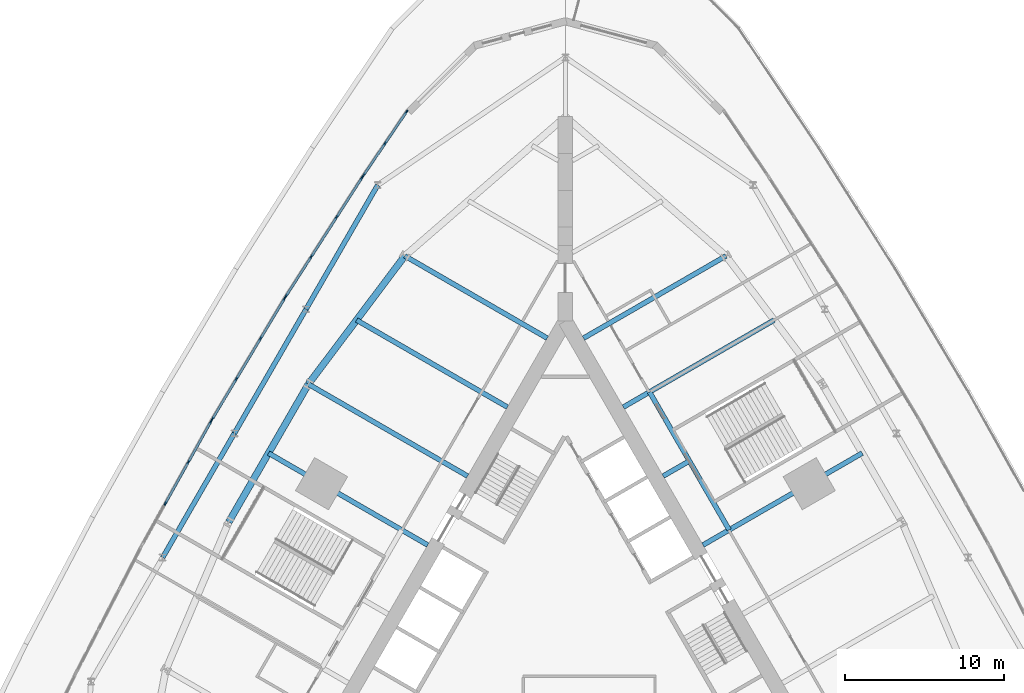
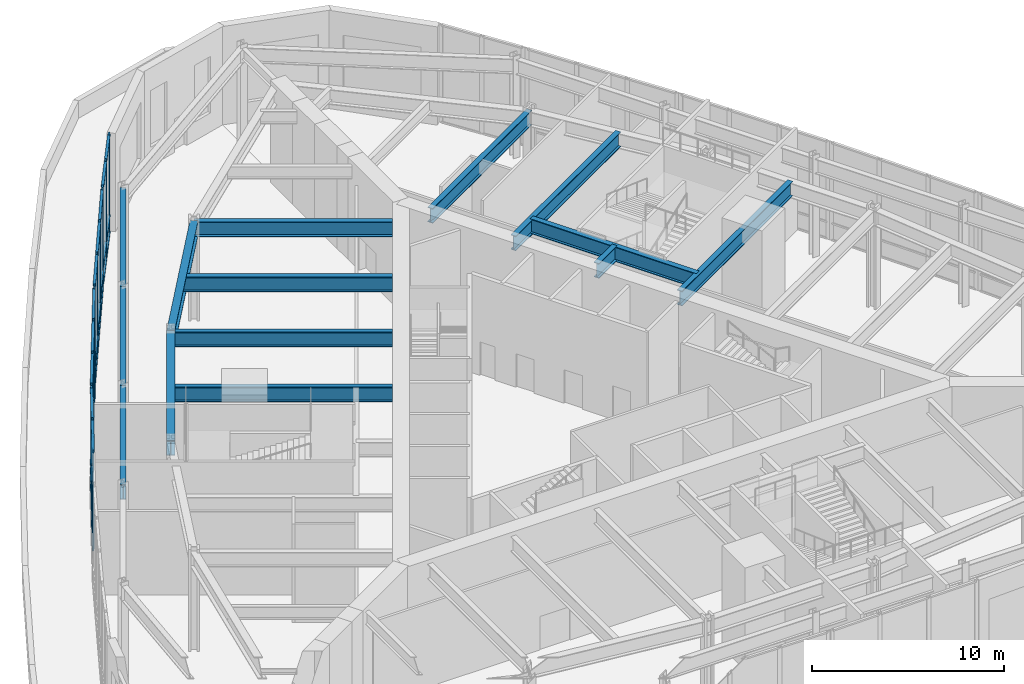
# One storey, part 6 of 19: 44 members, 14 beams, 4 elements without a shape of their own.
"""IFC4 building model written with IfcOpenShell, lengths in metres."""

from ifc_helpers import new_model, si_unit, direction, frame, origin, origin_2d, place, context, subcontext, project, spatial, rectangle, i_section, extrude, material, material_profile, profile_set, type_object, element, aggregate, save


model = new_model("IFC4")

# Units and contexts
model_context = context("Model", 3, precision=1e-05, world=origin(), true_north=direction((0.0, 1.0)))
body_context = subcontext(model_context, "Body", "Model", "MODEL_VIEW")
ifc_project = project(units=[si_unit("LENGTHUNIT", "METRE"), si_unit("AREAUNIT", "SQUARE_METRE"), si_unit("VOLUMEUNIT", "CUBIC_METRE"), si_unit("PLANEANGLEUNIT", "RADIAN"), si_unit("MASSUNIT", "GRAM", prefix="KILO")], contexts=[model_context])

# Site, building, storey
site_placement = place(None, origin())
site = spatial("IfcSite", under=ifc_project, at=site_placement, CompositionType="ELEMENT")
building_placement = place(site_placement, origin())
building = spatial("IfcBuilding", under=site, at=building_placement, Name="Trikona Tower", CompositionType="ELEMENT")
storey_placement = place(building_placement, frame((0.0, 0.0, 11.0)))
storey = spatial("IfcBuildingStorey", under=building, at=storey_placement, Name="L02", CompositionType="ELEMENT", Elevation=11.0)

# Curtain wall, members
ifc_material_1 = material(Name="Aluminium curtain wall system", Category="aluminium")
curtain_wall_type = type_object("IfcCurtainWallType", Name="Curtain wall PD", PredefinedType="NOTDEFINED", material=ifc_material_1)
curtain_wall_1_placement = place(storey_placement, origin())
curtain_wall_1 = element("IfcCurtainWall", 1, at=curtain_wall_1_placement, inside=storey, type_object=curtain_wall_type, Name="Curtain wall PD L02", PredefinedType="NOTDEFINED")
ifc_material_2 = material(Name="Aluminium mullion, pale anodised", Category="aluminium")
ifc_material_profile_1 = material_profile(ifc_material_2, rectangle(XDim=0.090087890625, YDim=0.25, at=origin_2d()), Name="MUL-PD")
ifc_profile_set_1 = profile_set([ifc_material_profile_1], Name="Aluminium mullion, pale anodised")
member_type_1 = type_object("IfcMemberType", Name="Mullion PD 90x250", PredefinedType="MULLION", material=ifc_profile_set_1)
member_1_placement = place(storey_placement, frame((-9.97607421875, 32.188720703125, 0.0), z_axis=(0.0, 0.0, 1.0), x_axis=(0.828264162992, -0.560337823373, 0.0)))
member_1 = element("IfcMember", 2, at=member_1_placement, type_object=member_type_1, Name="CW-PD mullion 1", PredefinedType="MULLION", context=body_context, shape_type="SweptSolid", body=[
    extrude(rectangle(XDim=0.090087890625, YDim=0.25, at=origin_2d()), origin(), (0.0, 0.0, 1.0), 6.25),
])
member_2_placement = place(storey_placement, frame((-11.321533203125, 30.19970703125, 0.0), z_axis=(0.0, 0.0, 1.0), x_axis=(0.828264162992, -0.560337823373, 0.0)))
member_2 = element("IfcMember", 3, at=member_2_placement, type_object=member_type_1, Name="CW-PD mullion 2", PredefinedType="MULLION", context=body_context, shape_type="SweptSolid", body=[
    extrude(rectangle(XDim=0.090087890625, YDim=0.25, at=origin_2d()), origin(), (0.0, 0.0, 1.0), 6.25),
])
member_3_placement = place(storey_placement, frame((-12.667236328125, 28.210693359375, 0.0), z_axis=(0.0, 0.0, 1.0), x_axis=(0.828264162992, -0.560337823373, 0.0)))
member_3 = element("IfcMember", 4, at=member_3_placement, type_object=member_type_1, Name="CW-PD mullion 3", PredefinedType="MULLION", context=body_context, shape_type="SweptSolid", body=[
    extrude(rectangle(XDim=0.090087890625, YDim=0.25, at=origin_2d()), origin(), (0.0, 0.0, 1.0), 6.25),
])

curtain_wall_2_placement = place(storey_placement, origin())
curtain_wall_2 = element("IfcCurtainWall", 5, at=curtain_wall_2_placement, inside=storey, type_object=curtain_wall_type, Name="Curtain wall PD L02", PredefinedType="NOTDEFINED")
member_4_placement = place(storey_placement, frame((-12.78125, 28.037353515625, 0.0), z_axis=(0.0, 0.0, 1.0), x_axis=(0.84162298491, -0.540065506463, 0.0)))
member_4 = element("IfcMember", 6, at=member_4_placement, type_object=member_type_1, Name="CW-PD mullion 1", PredefinedType="MULLION", context=body_context, shape_type="SweptSolid", body=[
    extrude(rectangle(XDim=0.090087890625, YDim=0.25, at=origin_2d()), origin(), (0.0, 0.0, 1.0), 6.25),
])
member_5_placement = place(storey_placement, frame((-14.357421875, 25.581298828125, 0.0), z_axis=(0.0, 0.0, 1.0), x_axis=(0.84162298491, -0.540065506463, 0.0)))
member_5 = element("IfcMember", 7, at=member_5_placement, type_object=member_type_1, Name="CW-PD mullion 2", PredefinedType="MULLION", context=body_context, shape_type="SweptSolid", body=[
    extrude(rectangle(XDim=0.090087890625, YDim=0.25, at=origin_2d()), origin(), (0.0, 0.0, 1.0), 6.25),
])
member_6_placement = place(storey_placement, frame((-15.957763671875, 23.087158203125, 0.0), z_axis=(0.0, 0.0, 1.0), x_axis=(0.84162298491, -0.540065506463, 0.0)))
member_6 = element("IfcMember", 8, at=member_6_placement, type_object=member_type_1, Name="CW-PD mullion 3", PredefinedType="MULLION", context=body_context, shape_type="SweptSolid", body=[
    extrude(rectangle(XDim=0.090087890625, YDim=0.25, at=origin_2d()), origin(), (0.0, 0.0, 1.0), 6.25),
])
member_7_placement = place(storey_placement, frame((-17.53369140625, 20.631103515625, 0.0), z_axis=(0.0, 0.0, 1.0), x_axis=(0.84162298491, -0.540065506463, 0.0)))
member_7 = element("IfcMember", 9, at=member_7_placement, type_object=member_type_1, Name="CW-PD mullion 4", PredefinedType="MULLION", context=body_context, shape_type="SweptSolid", body=[
    extrude(rectangle(XDim=0.090087890625, YDim=0.25, at=origin_2d()), origin(), (0.0, 0.0, 1.0), 6.25),
])

curtain_wall_3_placement = place(storey_placement, origin())
curtain_wall_3 = element("IfcCurtainWall", 10, at=curtain_wall_3_placement, inside=storey, type_object=curtain_wall_type, Name="Curtain wall PD L02", PredefinedType="NOTDEFINED")
member_8_placement = place(storey_placement, frame((-17.642822265625, 20.455322265625, 0.0), z_axis=(0.0, 0.0, 1.0), x_axis=(0.858095396396, -0.513490302425, 0.0)))
member_8 = element("IfcMember", 11, at=member_8_placement, type_object=member_type_1, Name="CW-PD mullion 1", PredefinedType="MULLION", context=body_context, shape_type="SweptSolid", body=[
    extrude(rectangle(XDim=0.090087890625, YDim=0.25, at=origin_2d()), origin(), (0.0, 0.0, 1.0), 6.25),
])
member_9_placement = place(storey_placement, frame((-19.139892578125, 17.95361328125, 0.0), z_axis=(0.0, 0.0, 1.0), x_axis=(0.858095396396, -0.513490302425, 0.0)))
member_9 = element("IfcMember", 12, at=member_9_placement, type_object=member_type_1, Name="CW-PD mullion 2", PredefinedType="MULLION", context=body_context, shape_type="SweptSolid", body=[
    extrude(rectangle(XDim=0.090087890625, YDim=0.25, at=origin_2d()), origin(), (0.0, 0.0, 1.0), 6.25),
])
member_10_placement = place(storey_placement, frame((-20.659912109375, 15.413330078125, 0.0), z_axis=(0.0, 0.0, 1.0), x_axis=(0.858095396396, -0.513490302425, 0.0)))
member_10 = element("IfcMember", 13, at=member_10_placement, type_object=member_type_1, Name="CW-PD mullion 3", PredefinedType="MULLION", context=body_context, shape_type="SweptSolid", body=[
    extrude(rectangle(XDim=0.090087890625, YDim=0.25, at=origin_2d()), origin(), (0.0, 0.0, 1.0), 6.25),
])
member_11_placement = place(storey_placement, frame((-22.156982421875, 12.91162109375, 0.0), z_axis=(0.0, 0.0, 1.0), x_axis=(0.858095396396, -0.513490302425, 0.0)))
member_11 = element("IfcMember", 14, at=member_11_placement, type_object=member_type_1, Name="CW-PD mullion 4", PredefinedType="MULLION", context=body_context, shape_type="SweptSolid", body=[
    extrude(rectangle(XDim=0.090087890625, YDim=0.25, at=origin_2d()), origin(), (0.0, 0.0, 1.0), 6.25),
])

curtain_wall_4_placement = place(storey_placement, origin())
curtain_wall_4 = element("IfcCurtainWall", 15, at=curtain_wall_4_placement, inside=storey, type_object=curtain_wall_type, Name="Curtain wall PD L02", PredefinedType="NOTDEFINED")
member_12_placement = place(storey_placement, frame((-22.260498046875, 12.732666015625, 0.0), z_axis=(0.0, 0.0, 1.0), x_axis=(0.873743206518, -0.486387509156, 0.0)))
member_12 = element("IfcMember", 16, at=member_12_placement, type_object=member_type_1, Name="CW-PD mullion 1", PredefinedType="MULLION", context=body_context, shape_type="SweptSolid", body=[
    extrude(rectangle(XDim=0.090087890625, YDim=0.25, at=origin_2d()), origin(), (0.0, 0.0, 1.0), 6.25),
])
member_13_placement = place(storey_placement, frame((-23.678466796875, 10.185302734375, 0.0), z_axis=(0.0, 0.0, 1.0), x_axis=(0.873743206518, -0.486387509156, 0.0)))
member_13 = element("IfcMember", 17, at=member_13_placement, type_object=member_type_1, Name="CW-PD mullion 2", PredefinedType="MULLION", context=body_context, shape_type="SweptSolid", body=[
    extrude(rectangle(XDim=0.090087890625, YDim=0.25, at=origin_2d()), origin(), (0.0, 0.0, 1.0), 6.25),
])
member_14_placement = place(storey_placement, frame((-25.1181640625, 7.598876953125, 0.0), z_axis=(0.0, 0.0, 1.0), x_axis=(0.873743206518, -0.486387509156, 0.0)))
member_14 = element("IfcMember", 18, at=member_14_placement, type_object=member_type_1, Name="CW-PD mullion 3", PredefinedType="MULLION", context=body_context, shape_type="SweptSolid", body=[
    extrude(rectangle(XDim=0.090087890625, YDim=0.25, at=origin_2d()), origin(), (0.0, 0.0, 1.0), 6.25),
])

# Beams
ifc_material_3 = material(Name="Steel ASTM A992 Grade 50", Category="steel")
ifc_material_profile_2 = material_profile(ifc_material_3, i_section(OverallWidth=0.307373046875, OverallDepth=0.9423828125, WebThickness=0.022216796875, FlangeThickness=0.039794921875, at=origin_2d()), Name="W36X232")
ifc_profile_set_2 = profile_set([ifc_material_profile_2], Name="Steel ASTM A992 Grade 50")
beam_type_1 = type_object("IfcBeamType", Name="Steel beam W36x232 (ballroom)", PredefinedType="BEAM", material=ifc_profile_set_2)
for number, where, z_axis, x_axis, name in (
    (19, (-11.78466796875, 27.58837890625, 5.77880859375), (-0.5000018851, -0.866024315419, 0.0), (0.866024315419, -0.5000018851, 0.0), "Podium beam L03 GR24F2m18-R24F2m9"),
    (20, (-16.28466796875, 19.794189453125, 5.77880859375), (-0.5000018851, -0.866024315419, 0.0), (0.866024315419, -0.5000018851, 0.0), "Podium beam L03 GR24F2m9-R24F2p0"),
    (21, (-20.78466796875, 12.0, 5.77880859375), (-0.5000018851, -0.866024315419, 0.0), (0.866024315419, -0.5000018851, 0.0), "Podium beam L03 GR24F2p0-R24F2p9"),
):
    element("IfcBeam", number, at=place(storey_placement, frame(where, z_axis=z_axis, x_axis=x_axis)), inside=storey, type_object=beam_type_1, Name=name, PredefinedType="BEAM", context=body_context, shape_type="SweptSolid", body=[
        extrude(i_section(OverallWidth=0.307373046875, OverallDepth=0.9423828125, WebThickness=0.022216796875, FlangeThickness=0.039794921875, at=origin_2d()), origin(), (0.0, 0.0, 1.0), 9.0),
    ])
ifc_material_4 = material(Name="Steel ASTM A992 Grade 50", Category="steel")
ifc_material_profile_3 = material_profile(ifc_material_4, i_section(OverallWidth=0.307373046875, OverallDepth=0.9423828125, WebThickness=0.022216796875, FlangeThickness=0.039794921875, at=origin_2d()), Name="W36X232")
ifc_profile_set_3 = profile_set([ifc_material_profile_3], Name="Steel ASTM A992 Grade 50")
beam_type_2 = type_object("IfcBeamType", Name="Steel beam W36x232 (radial low)", PredefinedType="BEAM", material=ifc_profile_set_3)
beam_1_placement = place(storey_placement, frame((8.6396484375, 4.988037109375, 5.77880859375), z_axis=(0.866020765707, 0.500008033299, 0.0), x_axis=(-0.500008033299, 0.866020765707, 0.0)))
element("IfcBeam", 22, at=beam_1_placement, inside=storey, type_object=beam_type_2, Name="Floor beam L03 F2 u0", PredefinedType="BEAM", context=body_context, shape_type="SweptSolid", body=[
    extrude(i_section(OverallWidth=0.307373046875, OverallDepth=0.9423828125, WebThickness=0.022216796875, FlangeThickness=0.039794921875, at=origin_2d()), origin(), (0.0, 0.0, 1.0), 11.544189453125),
])
beam_2_placement = place(storey_placement, frame((6.1396484375, 9.318359375, 5.77880859375), z_axis=(0.866044365799, 0.499967155389, 0.0), x_axis=(-0.499967155389, 0.866044365799, 0.0)))
element("IfcBeam", 23, at=beam_2_placement, inside=storey, type_object=beam_type_2, Name="Floor beam L03 F2 u5", PredefinedType="BEAM", context=body_context, shape_type="SweptSolid", body=[
    extrude(i_section(OverallWidth=0.307373046875, OverallDepth=0.9423828125, WebThickness=0.022216796875, FlangeThickness=0.039794921875, at=origin_2d()), origin(), (0.0, 0.0, 1.0), 1.900146484375),
])
beam_3_placement = place(storey_placement, frame((3.6396484375, 13.6484375, 5.77880859375), z_axis=(0.866025348605, 0.500000095573, 0.0), x_axis=(-0.500000095573, 0.866025348605, 0.0)))
element("IfcBeam", 24, at=beam_3_placement, inside=storey, type_object=beam_type_2, Name="Floor beam L03 F2 u10", PredefinedType="BEAM", context=body_context, shape_type="SweptSolid", body=[
    extrude(i_section(OverallWidth=0.307373046875, OverallDepth=0.9423828125, WebThickness=0.022216796875, FlangeThickness=0.039794921875, at=origin_2d()), origin(), (0.0, 0.0, 1.0), 10.935546875),
])
beam_4_placement = place(storey_placement, frame((1.1396484375, 17.978515625, 5.77880859375), z_axis=(0.866030471684, 0.499991222037, 0.0), x_axis=(-0.499991222037, 0.866030471684, 0.0)))
element("IfcBeam", 25, at=beam_4_placement, inside=storey, type_object=beam_type_2, Name="Floor beam L03 F2 u15", PredefinedType="BEAM", context=body_context, shape_type="SweptSolid", body=[
    extrude(i_section(OverallWidth=0.307373046875, OverallDepth=0.9423828125, WebThickness=0.022216796875, FlangeThickness=0.039794921875, at=origin_2d()), origin(), (0.0, 0.0, 1.0), 10.326904296875),
])
beam_5_placement = place(storey_placement, frame((10.28515625, 5.93798828125, 5.77880859375), z_axis=(-0.499993662806, 0.866029062534, 0.0), x_axis=(-0.866029062534, -0.499993662806, 0.0)))
element("IfcBeam", 26, at=beam_5_placement, inside=storey, type_object=beam_type_2, Name="Trimmer beam L03 F2 podium stair", PredefinedType="BEAM", context=body_context, shape_type="SweptSolid", body=[
    extrude(i_section(OverallWidth=0.307373046875, OverallDepth=0.9423828125, WebThickness=0.022216796875, FlangeThickness=0.039794921875, at=origin_2d()), origin(), (0.0, 0.0, 1.0), 10.000244140625),
])
beam_6_placement = place(storey_placement, frame((-1.1396484375, 17.978515625, 5.77880859375), z_axis=(-0.866030471684, 0.499991222037, 0.0), x_axis=(-0.499991222037, -0.866030471684, 0.0)))
element("IfcBeam", 27, at=beam_6_placement, inside=storey, type_object=beam_type_2, Name="Floor beam L03 F3 u-15", PredefinedType="BEAM", context=body_context, shape_type="SweptSolid", body=[
    extrude(i_section(OverallWidth=0.307373046875, OverallDepth=0.9423828125, WebThickness=0.022216796875, FlangeThickness=0.039794921875, at=origin_2d()), origin(), (0.0, 0.0, 1.0), 10.326904296875),
])
beam_7_placement = place(storey_placement, frame((-3.6396484375, 13.6484375, 5.77880859375), z_axis=(-0.866025348605, 0.500000095573, 0.0), x_axis=(-0.500000095573, -0.866025348605, 0.0)))
element("IfcBeam", 28, at=beam_7_placement, inside=storey, type_object=beam_type_2, Name="Floor beam L03 F3 u-10", PredefinedType="BEAM", context=body_context, shape_type="SweptSolid", body=[
    extrude(i_section(OverallWidth=0.307373046875, OverallDepth=0.9423828125, WebThickness=0.022216796875, FlangeThickness=0.039794921875, at=origin_2d()), origin(), (0.0, 0.0, 1.0), 10.935546875),
])
for number, where, z_axis, x_axis, name in (
    (29, (-6.1396484375, 9.318359375, 5.77880859375), (-0.866029923217, 0.499992172032, 0.0), (-0.499992172032, -0.866029923217, 0.0), "Floor beam L03 F3 u-5"),
    (30, (-8.6396484375, 4.988037109375, 5.77880859375), (-0.866020765707, 0.500008033299, 0.0), (-0.500008033299, -0.866020765707, 0.0), "Floor beam L03 F3 u0"),
):
    element("IfcBeam", number, at=place(storey_placement, frame(where, z_axis=z_axis, x_axis=x_axis)), inside=storey, type_object=beam_type_2, Name=name, PredefinedType="BEAM", context=body_context, shape_type="SweptSolid", body=[
        extrude(i_section(OverallWidth=0.307373046875, OverallDepth=0.9423828125, WebThickness=0.022216796875, FlangeThickness=0.039794921875, at=origin_2d()), origin(), (0.0, 0.0, 1.0), 11.544189453125),
    ])
ifc_material_5 = material(Name="Steel ASTM A992 Grade 50", Category="steel")
ifc_material_profile_4 = material_profile(ifc_material_5, i_section(OverallWidth=0.424072265625, OverallDepth=0.947509765625, WebThickness=0.02392578125, FlangeThickness=0.042724609375, at=origin_2d()), Name="W36X302")
ifc_profile_set_4 = profile_set([ifc_material_profile_4], Name="Steel ASTM A992 Grade 50")
beam_type_3 = type_object("IfcBeamType", Name="Steel beam W36x302 (pod tower spandrel)", PredefinedType="BEAM", material=ifc_profile_set_4)
beam_8_placement = place(storey_placement, frame((-10.0830078125, 23.141845703125, 5.7763671875), z_axis=(-0.600988344191, -0.799257787042, 0.0), x_axis=(0.799257787042, -0.600988344191, 0.0)))
element("IfcBeam", 31, at=beam_8_placement, inside=storey, type_object=beam_type_3, Name="Spandrel beam L03 F3-2", PredefinedType="BEAM", context=body_context, shape_type="SweptSolid", body=[
    extrude(i_section(OverallWidth=0.424072265625, OverallDepth=0.947509765625, WebThickness=0.02392578125, FlangeThickness=0.042724609375, at=origin_2d()), origin(), (0.0, 0.0, 1.0), 10.07373046875),
])
beam_9_placement = place(storey_placement, frame((-16.13720703125, 15.09033203125, 5.7763671875), z_axis=(-0.500004234368, -0.866022959057, 0.0), x_axis=(0.866022959057, -0.500004234368, 0.0)))
element("IfcBeam", 32, at=beam_9_placement, inside=storey, type_object=beam_type_3, Name="Spandrel beam L03 F3-3", PredefinedType="BEAM", context=body_context, shape_type="SweptSolid", body=[
    extrude(i_section(OverallWidth=0.424072265625, OverallDepth=0.947509765625, WebThickness=0.02392578125, FlangeThickness=0.042724609375, at=origin_2d()), origin(), (0.0, 0.0, 1.0), 10.0),
])

# Member
ifc_material_6 = material(Name="Aluminium transom, pale anodised", Category="aluminium")
ifc_material_profile_5 = material_profile(ifc_material_6, rectangle(XDim=0.14990234375, YDim=0.090087890625, at=origin_2d()), Name="TRN-PD")
ifc_profile_set_5 = profile_set([ifc_material_profile_5], Name="Aluminium transom, pale anodised")
member_type_2 = type_object("IfcMemberType", Name="Transom PD 90x150", PredefinedType="USERDEFINED", material=ifc_profile_set_5)
member_15_placement = place(storey_placement, frame((-10.001220703125, 32.1513671875, 0.044921875), z_axis=(-0.560317892551, -0.828277646256, 0.0), x_axis=(0.828277646256, -0.560317892551, 0.0)))
member_15 = element("IfcMember", 33, at=member_15_placement, type_object=member_type_2, Name="CW-PD transom 1.1", ObjectType="TRANSOM", PredefinedType="USERDEFINED", context=body_context, shape_type="SweptSolid", body=[
    extrude(rectangle(XDim=0.14990234375, YDim=0.090087890625, at=origin_2d()), origin(), (0.0, 0.0, 1.0), 2.3115234375),
])

member_16_placement = place(storey_placement, frame((-10.001220703125, 32.1513671875, 1.10009765625), z_axis=(-0.560317892551, -0.828277646256, 0.0), x_axis=(0.828277646256, -0.560317892551, 0.0)))
member_16 = element("IfcMember", 34, at=member_16_placement, type_object=member_type_2, Name="CW-PD transom 1.2", ObjectType="TRANSOM", PredefinedType="USERDEFINED", context=body_context, shape_type="SweptSolid", body=[
    extrude(rectangle(XDim=0.14990234375, YDim=0.090087890625, at=origin_2d()), origin(), (0.0, 0.0, 1.0), 2.3115234375),
])

member_17_placement = place(storey_placement, frame((-10.001220703125, 32.1513671875, 6.205078125), z_axis=(-0.560317892551, -0.828277646256, 0.0), x_axis=(0.828277646256, -0.560317892551, 0.0)))
member_17 = element("IfcMember", 35, at=member_17_placement, type_object=member_type_2, Name="CW-PD transom 1.3", ObjectType="TRANSOM", PredefinedType="USERDEFINED", context=body_context, shape_type="SweptSolid", body=[
    extrude(rectangle(XDim=0.14990234375, YDim=0.090087890625, at=origin_2d()), origin(), (0.0, 0.0, 1.0), 2.3115234375),
])

member_18_placement = place(storey_placement, frame((-11.346923828125, 30.162353515625, 0.044921875), z_axis=(-0.560366914304, -0.828244481632, 0.0), x_axis=(0.828244481632, -0.560366914304, 0.0)))
member_18 = element("IfcMember", 36, at=member_18_placement, type_object=member_type_2, Name="CW-PD transom 2.1", ObjectType="TRANSOM", PredefinedType="USERDEFINED", context=body_context, shape_type="SweptSolid", body=[
    extrude(rectangle(XDim=0.14990234375, YDim=0.090087890625, at=origin_2d()), origin(), (0.0, 0.0, 1.0), 2.311279296875),
])

member_19_placement = place(storey_placement, frame((-11.346923828125, 30.162353515625, 1.10009765625), z_axis=(-0.560366914304, -0.828244481632, 0.0), x_axis=(0.828244481632, -0.560366914304, 0.0)))
member_19 = element("IfcMember", 37, at=member_19_placement, type_object=member_type_2, Name="CW-PD transom 2.2", ObjectType="TRANSOM", PredefinedType="USERDEFINED", context=body_context, shape_type="SweptSolid", body=[
    extrude(rectangle(XDim=0.14990234375, YDim=0.090087890625, at=origin_2d()), origin(), (0.0, 0.0, 1.0), 2.311279296875),
])

member_20_placement = place(storey_placement, frame((-11.346923828125, 30.162353515625, 6.205078125), z_axis=(-0.560366914304, -0.828244481632, 0.0), x_axis=(0.828244481632, -0.560366914304, 0.0)))
member_20 = element("IfcMember", 38, at=member_20_placement, type_object=member_type_2, Name="CW-PD transom 2.3", ObjectType="TRANSOM", PredefinedType="USERDEFINED", context=body_context, shape_type="SweptSolid", body=[
    extrude(rectangle(XDim=0.14990234375, YDim=0.090087890625, at=origin_2d()), origin(), (0.0, 0.0, 1.0), 2.311279296875),
])

aggregate(curtain_wall_1, [member_1, member_2, member_3, member_15, member_16, member_17, member_18, member_19, member_20])

member_21_placement = place(storey_placement, frame((-12.8056640625, 27.99951171875, 0.044921875), z_axis=(-0.540033155004, -0.841643743811, 0.0), x_axis=(0.841643743811, -0.540033155004, 0.0)))
member_21 = element("IfcMember", 39, at=member_21_placement, type_object=member_type_2, Name="CW-PD transom 1.1", ObjectType="TRANSOM", PredefinedType="USERDEFINED", context=body_context, shape_type="SweptSolid", body=[
    extrude(rectangle(XDim=0.14990234375, YDim=0.090087890625, at=origin_2d()), origin(), (0.0, 0.0, 1.0), 2.828125),
])

member_22_placement = place(storey_placement, frame((-12.8056640625, 27.99951171875, 1.10009765625), z_axis=(-0.540033155004, -0.841643743811, 0.0), x_axis=(0.841643743811, -0.540033155004, 0.0)))
member_22 = element("IfcMember", 40, at=member_22_placement, type_object=member_type_2, Name="CW-PD transom 1.2", ObjectType="TRANSOM", PredefinedType="USERDEFINED", context=body_context, shape_type="SweptSolid", body=[
    extrude(rectangle(XDim=0.14990234375, YDim=0.090087890625, at=origin_2d()), origin(), (0.0, 0.0, 1.0), 2.828125),
])

member_23_placement = place(storey_placement, frame((-12.8056640625, 27.99951171875, 6.205078125), z_axis=(-0.540033155004, -0.841643743811, 0.0), x_axis=(0.841643743811, -0.540033155004, 0.0)))
member_23 = element("IfcMember", 41, at=member_23_placement, type_object=member_type_2, Name="CW-PD transom 1.3", ObjectType="TRANSOM", PredefinedType="USERDEFINED", context=body_context, shape_type="SweptSolid", body=[
    extrude(rectangle(XDim=0.14990234375, YDim=0.090087890625, at=origin_2d()), origin(), (0.0, 0.0, 1.0), 2.828125),
])

member_24_placement = place(storey_placement, frame((-14.381591796875, 25.54345703125, 0.044921875), z_axis=(-0.540065996363, -0.841622670543, 0.0), x_axis=(0.841622670543, -0.540065996363, 0.0)))
member_24 = element("IfcMember", 42, at=member_24_placement, type_object=member_type_2, Name="CW-PD transom 2.1", ObjectType="TRANSOM", PredefinedType="USERDEFINED", context=body_context, shape_type="SweptSolid", body=[
    extrude(rectangle(XDim=0.14990234375, YDim=0.090087890625, at=origin_2d()), origin(), (0.0, 0.0, 1.0), 2.873291015625),
])

member_25_placement = place(storey_placement, frame((-14.381591796875, 25.54345703125, 1.10009765625), z_axis=(-0.540065996363, -0.841622670543, 0.0), x_axis=(0.841622670543, -0.540065996363, 0.0)))
member_25 = element("IfcMember", 43, at=member_25_placement, type_object=member_type_2, Name="CW-PD transom 2.2", ObjectType="TRANSOM", PredefinedType="USERDEFINED", context=body_context, shape_type="SweptSolid", body=[
    extrude(rectangle(XDim=0.14990234375, YDim=0.090087890625, at=origin_2d()), origin(), (0.0, 0.0, 1.0), 2.873291015625),
])

member_26_placement = place(storey_placement, frame((-14.381591796875, 25.54345703125, 6.205078125), z_axis=(-0.540065996363, -0.841622670543, 0.0), x_axis=(0.841622670543, -0.540065996363, 0.0)))
member_26 = element("IfcMember", 44, at=member_26_placement, type_object=member_type_2, Name="CW-PD transom 2.3", ObjectType="TRANSOM", PredefinedType="USERDEFINED", context=body_context, shape_type="SweptSolid", body=[
    extrude(rectangle(XDim=0.14990234375, YDim=0.090087890625, at=origin_2d()), origin(), (0.0, 0.0, 1.0), 2.873291015625),
])

member_27_placement = place(storey_placement, frame((-15.98193359375, 23.04931640625, 0.044921875), z_axis=(-0.54009429845, -0.841604508532, 0.0), x_axis=(0.841604508532, -0.54009429845, 0.0)))
member_27 = element("IfcMember", 45, at=member_27_placement, type_object=member_type_2, Name="CW-PD transom 3.1", ObjectType="TRANSOM", PredefinedType="USERDEFINED", context=body_context, shape_type="SweptSolid", body=[
    extrude(rectangle(XDim=0.14990234375, YDim=0.090087890625, at=origin_2d()), origin(), (0.0, 0.0, 1.0), 2.828369140625),
])

member_28_placement = place(storey_placement, frame((-15.98193359375, 23.04931640625, 1.10009765625), z_axis=(-0.54009429845, -0.841604508532, 0.0), x_axis=(0.841604508532, -0.54009429845, 0.0)))
member_28 = element("IfcMember", 46, at=member_28_placement, type_object=member_type_2, Name="CW-PD transom 3.2", ObjectType="TRANSOM", PredefinedType="USERDEFINED", context=body_context, shape_type="SweptSolid", body=[
    extrude(rectangle(XDim=0.14990234375, YDim=0.090087890625, at=origin_2d()), origin(), (0.0, 0.0, 1.0), 2.828369140625),
])

member_29_placement = place(storey_placement, frame((-15.98193359375, 23.04931640625, 6.205078125), z_axis=(-0.54009429845, -0.841604508532, 0.0), x_axis=(0.841604508532, -0.54009429845, 0.0)))
member_29 = element("IfcMember", 47, at=member_29_placement, type_object=member_type_2, Name="CW-PD transom 3.3", ObjectType="TRANSOM", PredefinedType="USERDEFINED", context=body_context, shape_type="SweptSolid", body=[
    extrude(rectangle(XDim=0.14990234375, YDim=0.090087890625, at=origin_2d()), origin(), (0.0, 0.0, 1.0), 2.828369140625),
])

aggregate(curtain_wall_2, [member_4, member_5, member_6, member_7, member_21, member_22, member_23, member_24, member_25, member_26, member_27, member_28, member_29])

member_30_placement = place(storey_placement, frame((-17.666015625, 20.416748046875, 0.044921875), z_axis=(-0.513478745151, -0.858102312244, 0.0), x_axis=(0.858102312244, -0.513478745151, 0.0)))
member_30 = element("IfcMember", 48, at=member_30_placement, type_object=member_type_2, Name="CW-PD transom 1.1", ObjectType="TRANSOM", PredefinedType="USERDEFINED", context=body_context, shape_type="SweptSolid", body=[
    extrude(rectangle(XDim=0.14990234375, YDim=0.090087890625, at=origin_2d()), origin(), (0.0, 0.0, 1.0), 2.8251953125),
])

member_31_placement = place(storey_placement, frame((-17.666015625, 20.416748046875, 1.10009765625), z_axis=(-0.513478745151, -0.858102312244, 0.0), x_axis=(0.858102312244, -0.513478745151, 0.0)))
member_31 = element("IfcMember", 49, at=member_31_placement, type_object=member_type_2, Name="CW-PD transom 1.2", ObjectType="TRANSOM", PredefinedType="USERDEFINED", context=body_context, shape_type="SweptSolid", body=[
    extrude(rectangle(XDim=0.14990234375, YDim=0.090087890625, at=origin_2d()), origin(), (0.0, 0.0, 1.0), 2.8251953125),
])

member_32_placement = place(storey_placement, frame((-17.666015625, 20.416748046875, 6.205078125), z_axis=(-0.513478745151, -0.858102312244, 0.0), x_axis=(0.858102312244, -0.513478745151, 0.0)))
member_32 = element("IfcMember", 50, at=member_32_placement, type_object=member_type_2, Name="CW-PD transom 1.3", ObjectType="TRANSOM", PredefinedType="USERDEFINED", context=body_context, shape_type="SweptSolid", body=[
    extrude(rectangle(XDim=0.14990234375, YDim=0.090087890625, at=origin_2d()), origin(), (0.0, 0.0, 1.0), 2.8251953125),
])

member_33_placement = place(storey_placement, frame((-19.162841796875, 17.9150390625, 0.044921875), z_axis=(-0.513532363889, -0.858070225121, 0.0), x_axis=(0.858070225121, -0.513532363889, 0.0)))
member_33 = element("IfcMember", 51, at=member_33_placement, type_object=member_type_2, Name="CW-PD transom 2.1", ObjectType="TRANSOM", PredefinedType="USERDEFINED", context=body_context, shape_type="SweptSolid", body=[
    extrude(rectangle(XDim=0.14990234375, YDim=0.090087890625, at=origin_2d()), origin(), (0.0, 0.0, 1.0), 2.87060546875),
])

member_34_placement = place(storey_placement, frame((-19.162841796875, 17.9150390625, 1.10009765625), z_axis=(-0.513532363889, -0.858070225121, 0.0), x_axis=(0.858070225121, -0.513532363889, 0.0)))
member_34 = element("IfcMember", 52, at=member_34_placement, type_object=member_type_2, Name="CW-PD transom 2.2", ObjectType="TRANSOM", PredefinedType="USERDEFINED", context=body_context, shape_type="SweptSolid", body=[
    extrude(rectangle(XDim=0.14990234375, YDim=0.090087890625, at=origin_2d()), origin(), (0.0, 0.0, 1.0), 2.87060546875),
])

member_35_placement = place(storey_placement, frame((-19.162841796875, 17.9150390625, 6.205078125), z_axis=(-0.513532363889, -0.858070225121, 0.0), x_axis=(0.858070225121, -0.513532363889, 0.0)))
member_35 = element("IfcMember", 53, at=member_35_placement, type_object=member_type_2, Name="CW-PD transom 2.3", ObjectType="TRANSOM", PredefinedType="USERDEFINED", context=body_context, shape_type="SweptSolid", body=[
    extrude(rectangle(XDim=0.14990234375, YDim=0.090087890625, at=origin_2d()), origin(), (0.0, 0.0, 1.0), 2.87060546875),
])

member_36_placement = place(storey_placement, frame((-20.68310546875, 15.374755859375, 0.044921875), z_axis=(-0.513478745151, -0.858102312244, 0.0), x_axis=(0.858102312244, -0.513478745151, 0.0)))
member_36 = element("IfcMember", 54, at=member_36_placement, type_object=member_type_2, Name="CW-PD transom 3.1", ObjectType="TRANSOM", PredefinedType="USERDEFINED", context=body_context, shape_type="SweptSolid", body=[
    extrude(rectangle(XDim=0.14990234375, YDim=0.090087890625, at=origin_2d()), origin(), (0.0, 0.0, 1.0), 2.8251953125),
])

member_37_placement = place(storey_placement, frame((-20.68310546875, 15.374755859375, 1.10009765625), z_axis=(-0.513478745151, -0.858102312244, 0.0), x_axis=(0.858102312244, -0.513478745151, 0.0)))
member_37 = element("IfcMember", 55, at=member_37_placement, type_object=member_type_2, Name="CW-PD transom 3.2", ObjectType="TRANSOM", PredefinedType="USERDEFINED", context=body_context, shape_type="SweptSolid", body=[
    extrude(rectangle(XDim=0.14990234375, YDim=0.090087890625, at=origin_2d()), origin(), (0.0, 0.0, 1.0), 2.8251953125),
])

member_38_placement = place(storey_placement, frame((-20.68310546875, 15.374755859375, 6.205078125), z_axis=(-0.513478745151, -0.858102312244, 0.0), x_axis=(0.858102312244, -0.513478745151, 0.0)))
member_38 = element("IfcMember", 56, at=member_38_placement, type_object=member_type_2, Name="CW-PD transom 3.3", ObjectType="TRANSOM", PredefinedType="USERDEFINED", context=body_context, shape_type="SweptSolid", body=[
    extrude(rectangle(XDim=0.14990234375, YDim=0.090087890625, at=origin_2d()), origin(), (0.0, 0.0, 1.0), 2.8251953125),
])

aggregate(curtain_wall_3, [member_8, member_9, member_10, member_11, member_30, member_31, member_32, member_33, member_34, member_35, member_36, member_37, member_38])

member_39_placement = place(storey_placement, frame((-22.2822265625, 12.693359375, 0.044921875), z_axis=(-0.486383735561, -0.873745307158, 0.0), x_axis=(0.873745307158, -0.486383735561, 0.0)))
member_39 = element("IfcMember", 57, at=member_39_placement, type_object=member_type_2, Name="CW-PD transom 1.1", ObjectType="TRANSOM", PredefinedType="USERDEFINED", context=body_context, shape_type="SweptSolid", body=[
    extrude(rectangle(XDim=0.14990234375, YDim=0.090087890625, at=origin_2d()), origin(), (0.0, 0.0, 1.0), 2.825439453125),
])

member_40_placement = place(storey_placement, frame((-22.2822265625, 12.693359375, 1.10009765625), z_axis=(-0.486383735561, -0.873745307158, 0.0), x_axis=(0.873745307158, -0.486383735561, 0.0)))
member_40 = element("IfcMember", 58, at=member_40_placement, type_object=member_type_2, Name="CW-PD transom 1.2", ObjectType="TRANSOM", PredefinedType="USERDEFINED", context=body_context, shape_type="SweptSolid", body=[
    extrude(rectangle(XDim=0.14990234375, YDim=0.090087890625, at=origin_2d()), origin(), (0.0, 0.0, 1.0), 2.825439453125),
])

member_41_placement = place(storey_placement, frame((-22.2822265625, 12.693359375, 6.205078125), z_axis=(-0.486383735561, -0.873745307158, 0.0), x_axis=(0.873745307158, -0.486383735561, 0.0)))
member_41 = element("IfcMember", 59, at=member_41_placement, type_object=member_type_2, Name="CW-PD transom 1.3", ObjectType="TRANSOM", PredefinedType="USERDEFINED", context=body_context, shape_type="SweptSolid", body=[
    extrude(rectangle(XDim=0.14990234375, YDim=0.090087890625, at=origin_2d()), origin(), (0.0, 0.0, 1.0), 2.825439453125),
])

member_42_placement = place(storey_placement, frame((-23.7001953125, 10.14599609375, 0.044921875), z_axis=(-0.48644435464, -0.873711559864, 0.0), x_axis=(0.873711559864, -0.48644435464, 0.0)))
member_42 = element("IfcMember", 60, at=member_42_placement, type_object=member_type_2, Name="CW-PD transom 2.1", ObjectType="TRANSOM", PredefinedType="USERDEFINED", context=body_context, shape_type="SweptSolid", body=[
    extrude(rectangle(XDim=0.14990234375, YDim=0.090087890625, at=origin_2d()), origin(), (0.0, 0.0, 1.0), 2.870361328125),
])

member_43_placement = place(storey_placement, frame((-23.7001953125, 10.14599609375, 1.10009765625), z_axis=(-0.48644435464, -0.873711559864, 0.0), x_axis=(0.873711559864, -0.48644435464, 0.0)))
member_43 = element("IfcMember", 61, at=member_43_placement, type_object=member_type_2, Name="CW-PD transom 2.2", ObjectType="TRANSOM", PredefinedType="USERDEFINED", context=body_context, shape_type="SweptSolid", body=[
    extrude(rectangle(XDim=0.14990234375, YDim=0.090087890625, at=origin_2d()), origin(), (0.0, 0.0, 1.0), 2.870361328125),
])

member_44_placement = place(storey_placement, frame((-23.7001953125, 10.14599609375, 6.205078125), z_axis=(-0.48644435464, -0.873711559864, 0.0), x_axis=(0.873711559864, -0.48644435464, 0.0)))
member_44 = element("IfcMember", 62, at=member_44_placement, type_object=member_type_2, Name="CW-PD transom 2.3", ObjectType="TRANSOM", PredefinedType="USERDEFINED", context=body_context, shape_type="SweptSolid", body=[
    extrude(rectangle(XDim=0.14990234375, YDim=0.090087890625, at=origin_2d()), origin(), (0.0, 0.0, 1.0), 2.870361328125),
])

aggregate(curtain_wall_4, [member_12, member_13, member_14, member_39, member_40, member_41, member_42, member_43, member_44])

save(model, "model.ifc")
